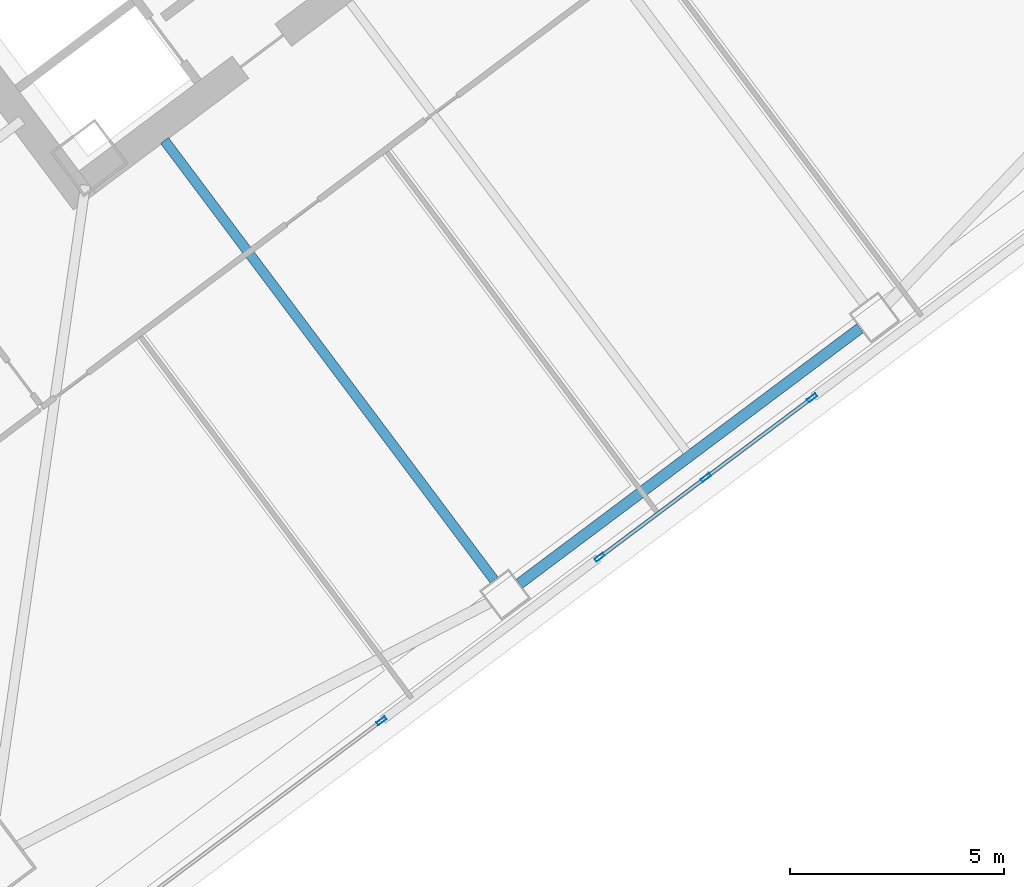
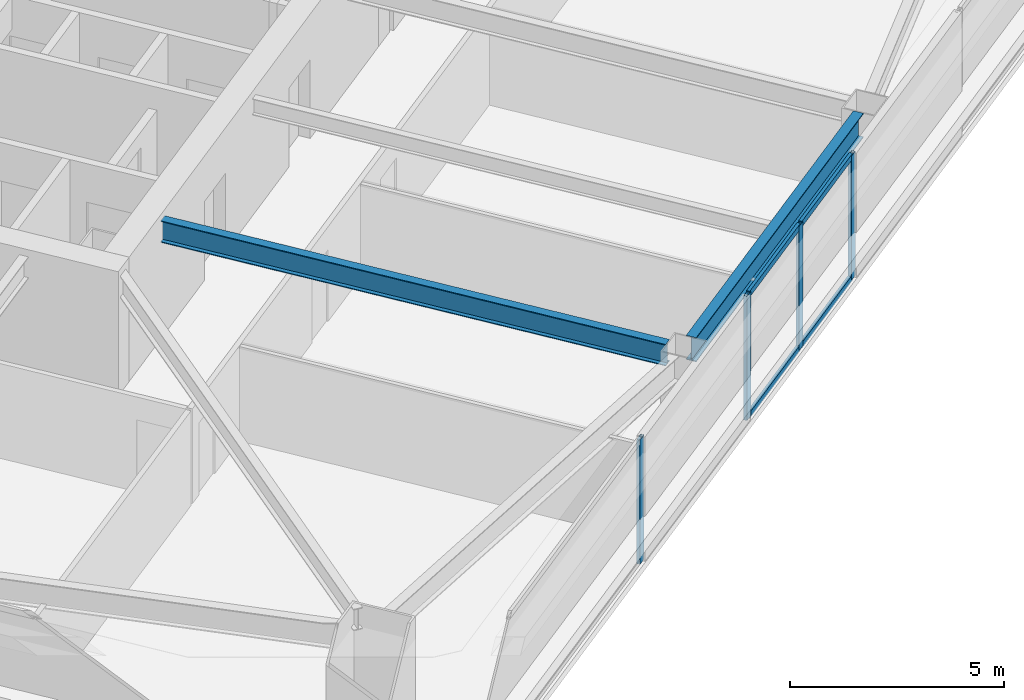
# One storey, part 22 of 46: 8 members, 2 beams, 2 elements without a shape of their own.
"""IFC4 building model written with IfcOpenShell, lengths in metres."""

from ifc_helpers import new_model, si_unit, direction, frame, origin, origin_2d, place, context, subcontext, project, spatial, hollow_rectangle, i_section, extrude, material, material_profile, profile_set, type_object, element, aggregate, save


model = new_model("IFC4")

# Units and contexts
model_context = context("Model", 3, precision=1e-05, world=origin(), true_north=direction((0.0, 1.0)))
body_context = subcontext(model_context, "Body", "Model", "MODEL_VIEW")
ifc_project = project(units=[si_unit("LENGTHUNIT", "METRE"), si_unit("AREAUNIT", "SQUARE_METRE"), si_unit("VOLUMEUNIT", "CUBIC_METRE"), si_unit("PLANEANGLEUNIT", "RADIAN"), si_unit("MASSUNIT", "GRAM", prefix="KILO")], contexts=[model_context])

# Site, building, storey
site_placement = place(None, origin())
site = spatial("IfcSite", under=ifc_project, at=site_placement, CompositionType="ELEMENT")
building_placement = place(site_placement, origin())
building = spatial("IfcBuilding", under=site, at=building_placement, Name="Tashvorn Skyway Center", CompositionType="ELEMENT")
storey_placement = place(building_placement, frame((0.0, 0.0, 38.800048828125)))
storey = spatial("IfcBuildingStorey", under=building, at=storey_placement, Name="L09", CompositionType="ELEMENT", Elevation=38.800048828125)

# Beams
ifc_material_1 = material(Name="Steel ASTM A992 Grade 50", Category="steel")
ifc_material_profile_1 = material_profile(ifc_material_1, i_section(OverallWidth=0.22998046875, OverallDepth=0.616943359375, WebThickness=0.01318359375, FlangeThickness=0.022216796875, at=origin_2d()), Name="W24X94")
ifc_profile_set_1 = profile_set([ifc_material_profile_1], Name="Steel ASTM A992 Grade 50")
beam_type_1 = type_object("IfcBeamType", Name="BM-BEAM-W24X94", PredefinedType="BEAM", material=ifc_profile_set_1)
beam_1_placement = place(storey_placement, frame((122.05810546875, 12.256103515625, 3.04150390625), z_axis=(-0.600018239213, 0.799986320265, 0.0), x_axis=(-0.799986320265, -0.600018239213, 0.0)))
element("IfcBeam", 1, at=beam_1_placement, inside=storey, type_object=beam_type_1, Name="Tower 2 L09 Primary Floor Girder FC-S1", PredefinedType="BEAM", context=body_context, shape_type="SweptSolid", body=[
    extrude(i_section(OverallWidth=0.22998046875, OverallDepth=0.616943359375, WebThickness=0.01318359375, FlangeThickness=0.022216796875, at=origin_2d()), origin(), (0.0, 0.0, 1.0), 12.849853515625),
])
ifc_material_profile_2 = material_profile(ifc_material_1, i_section(OverallWidth=0.256103515625, OverallDepth=0.693115234375, WebThickness=0.014404296875, FlangeThickness=0.023681640625, at=origin_2d()), Name="W27X114")
ifc_profile_set_2 = profile_set([ifc_material_profile_2], Name="Steel ASTM A992 Grade 50")
beam_type_2 = type_object("IfcBeamType", Name="BM-SPANDREL-W27X114", PredefinedType="SPANDREL", material=ifc_profile_set_2)
beam_2_placement = place(storey_placement, frame((122.64599609375, 12.172119140625, 3.00341796875), z_axis=(0.800008824351, 0.599988234018, 0.0), x_axis=(-0.599988234018, 0.800008824351, 0.0)))
element("IfcBeam", 2, at=beam_2_placement, inside=storey, type_object=beam_type_2, Name="Tower 2 L09 Spandrel Beam 02", PredefinedType="SPANDREL", context=body_context, shape_type="SweptSolid", body=[
    extrude(i_section(OverallWidth=0.256103515625, OverallDepth=0.693115234375, WebThickness=0.014404296875, FlangeThickness=0.023681640625, at=origin_2d()), origin(), (0.0, 0.0, 1.0), 9.9599609375),
])

# Curtain wall, members
ifc_material_2 = material(Name="Thermally broken bronze-anodized aluminium 6063-T6", Category="aluminium")
curtain_wall_type = type_object("IfcCurtainWallType", Name="CW-CW-Z1", PredefinedType="NOTDEFINED", material=ifc_material_2)
curtain_wall_1_placement = place(storey_placement, origin())
curtain_wall_1 = element("IfcCurtainWall", 3, at=curtain_wall_1_placement, inside=storey, type_object=curtain_wall_type, Name="Tower 2 L09 South Unitised Curtain Wall Glazing Group 2", PredefinedType="NOTDEFINED")
ifc_material_profile_3 = material_profile(ifc_material_2, hollow_rectangle(XDim=0.0849609375, YDim=0.239990234375, WallThickness=0.0048828125, at=origin_2d()), Name="ALU-MULL-85x240")
ifc_profile_set_3 = profile_set([ifc_material_profile_3], Name="Thermally broken bronze-anodized aluminium 6063-T6")
member_type_1 = type_object("IfcMemberType", Name="CWM-CW-Z1", PredefinedType="MULLION", material=ifc_profile_set_3)
member_1_placement = place(storey_placement, frame((129.4912109375, 16.5185546875, 0.0), z_axis=(0.0, 0.0, 1.0), x_axis=(0.600005084776, -0.799996186392, 0.0)))
member_1 = element("IfcMember", 4, at=member_1_placement, type_object=member_type_1, Name="CW-Z1 mullion 1", PredefinedType="MULLION", context=body_context, shape_type="SweptSolid", body=[
    extrude(hollow_rectangle(XDim=0.0849609375, YDim=0.239990234375, WallThickness=0.0048828125, at=origin_2d()), origin(), (0.0, 0.0, 1.0), 3.550048828125),
])
member_2_placement = place(storey_placement, frame((127.008056640625, 14.656005859375, 0.0), z_axis=(0.0, 0.0, 1.0), x_axis=(0.600005084776, -0.799996186392, 0.0)))
member_2 = element("IfcMember", 5, at=member_2_placement, type_object=member_type_1, Name="CW-Z1 mullion 2", PredefinedType="MULLION", context=body_context, shape_type="SweptSolid", body=[
    extrude(hollow_rectangle(XDim=0.0849609375, YDim=0.239990234375, WallThickness=0.0048828125, at=origin_2d()), origin(), (0.0, 0.0, 1.0), 3.550048828125),
])
member_3_placement = place(storey_placement, frame((124.524658203125, 12.79345703125, 0.0), z_axis=(0.0, 0.0, 1.0), x_axis=(0.600005084776, -0.799996186392, 0.0)))
member_3 = element("IfcMember", 6, at=member_3_placement, type_object=member_type_1, Name="CW-Z1 mullion 3", PredefinedType="MULLION", context=body_context, shape_type="SweptSolid", body=[
    extrude(hollow_rectangle(XDim=0.0849609375, YDim=0.239990234375, WallThickness=0.0048828125, at=origin_2d()), origin(), (0.0, 0.0, 1.0), 3.550048828125),
])

# Curtain wall, member
curtain_wall_2_placement = place(storey_placement, origin())
curtain_wall_2 = element("IfcCurtainWall", 7, at=curtain_wall_2_placement, inside=storey, type_object=curtain_wall_type, Name="Tower 2 L09 South Unitised Curtain Wall Glazing Group 3", PredefinedType="NOTDEFINED")
member_4_placement = place(storey_placement, frame((119.422119140625, 8.966552734375, 0.0), z_axis=(0.0, 0.0, 1.0), x_axis=(0.600000000002, -0.799999999998, 0.0)))
member_4 = element("IfcMember", 8, at=member_4_placement, type_object=member_type_1, Name="CW-Z1 mullion 1", PredefinedType="MULLION", context=body_context, shape_type="SweptSolid", body=[
    extrude(hollow_rectangle(XDim=0.0849609375, YDim=0.239990234375, WallThickness=0.0048828125, at=origin_2d()), origin(), (0.0, 0.0, 1.0), 3.550048828125),
])
aggregate(curtain_wall_2, [member_4])

# Member
ifc_material_profile_4 = material_profile(ifc_material_2, hollow_rectangle(XDim=0.0849609375, YDim=0.1650390625, WallThickness=0.0048828125, at=origin_2d()), Name="ALU-TRAN-85x165")
ifc_profile_set_4 = profile_set([ifc_material_profile_4], Name="Thermally broken bronze-anodized aluminium 6063-T6")
member_type_2 = type_object("IfcMemberType", Name="CWT-CW-Z1", PredefinedType="USERDEFINED", material=ifc_profile_set_4)
member_5_placement = place(storey_placement, frame((129.457275390625, 16.492919921875, 0.04248046875), z_axis=(-0.799990296182, -0.600012938206, 0.0), x_axis=(0.600012938206, -0.799990296182, 0.0)))
member_5 = element("IfcMember", 9, at=member_5_placement, type_object=member_type_2, Name="CW-Z1 transom 1.1", ObjectType="TRANSOM", PredefinedType="USERDEFINED", context=body_context, shape_type="SweptSolid", body=[
    extrude(hollow_rectangle(XDim=0.0849609375, YDim=0.1650390625, WallThickness=0.0048828125, at=origin_2d()), origin(), (0.0, 0.0, 1.0), 3.01904296875),
])

member_6_placement = place(storey_placement, frame((129.457275390625, 16.492919921875, 3.507568359375), z_axis=(-0.799990296182, -0.600012938206, 0.0), x_axis=(0.600012938206, -0.799990296182, 0.0)))
member_6 = element("IfcMember", 10, at=member_6_placement, type_object=member_type_2, Name="CW-Z1 transom 1.2", ObjectType="TRANSOM", PredefinedType="USERDEFINED", context=body_context, shape_type="SweptSolid", body=[
    extrude(hollow_rectangle(XDim=0.0849609375, YDim=0.1650390625, WallThickness=0.0048828125, at=origin_2d()), origin(), (0.0, 0.0, 1.0), 3.01904296875),
])

member_7_placement = place(storey_placement, frame((126.97412109375, 14.630615234375, 0.04248046875), z_axis=(-0.800019405753, -0.599974124791, 0.0), x_axis=(0.599974124791, -0.800019405753, 0.0)))
member_7 = element("IfcMember", 11, at=member_7_placement, type_object=member_type_2, Name="CW-Z1 transom 2.1", ObjectType="TRANSOM", PredefinedType="USERDEFINED", context=body_context, shape_type="SweptSolid", body=[
    extrude(hollow_rectangle(XDim=0.0849609375, YDim=0.1650390625, WallThickness=0.0048828125, at=origin_2d()), origin(), (0.0, 0.0, 1.0), 3.019287109375),
])

member_8_placement = place(storey_placement, frame((126.97412109375, 14.630615234375, 3.507568359375), z_axis=(-0.800019405753, -0.599974124791, 0.0), x_axis=(0.599974124791, -0.800019405753, 0.0)))
member_8 = element("IfcMember", 12, at=member_8_placement, type_object=member_type_2, Name="CW-Z1 transom 2.2", ObjectType="TRANSOM", PredefinedType="USERDEFINED", context=body_context, shape_type="SweptSolid", body=[
    extrude(hollow_rectangle(XDim=0.0849609375, YDim=0.1650390625, WallThickness=0.0048828125, at=origin_2d()), origin(), (0.0, 0.0, 1.0), 3.019287109375),
])

aggregate(curtain_wall_1, [member_1, member_2, member_3, member_5, member_6, member_7, member_8])

save(model, "model.ifc")
